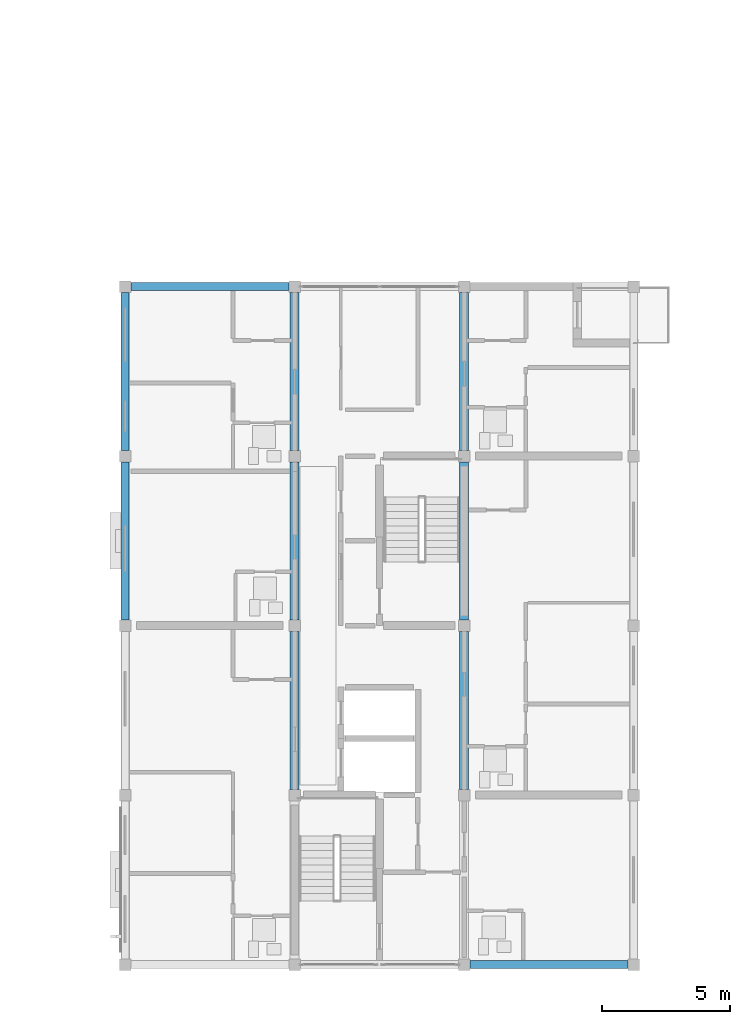
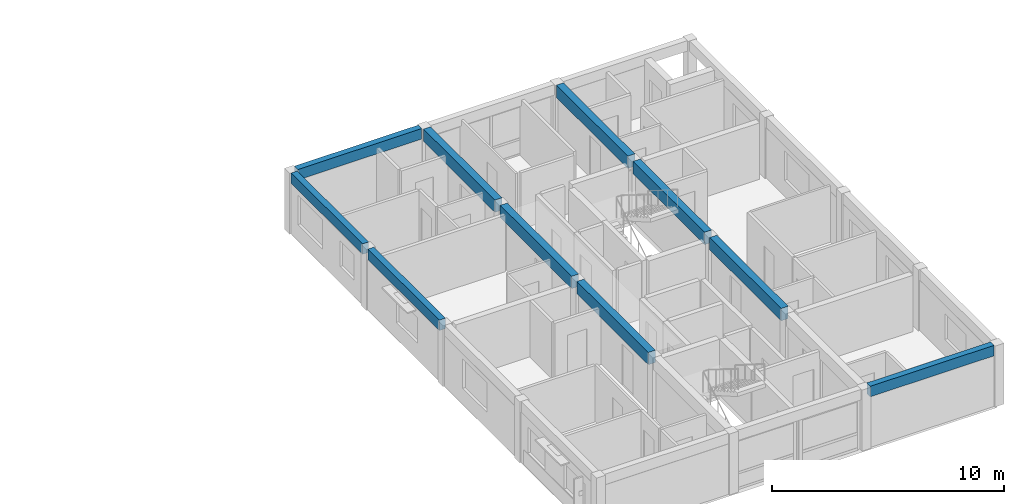
# One storey, part 13 of 53: 10 beams.
"""IFC4 building model written with IfcOpenShell, lengths in metres."""

import ifcopenshell
import ifcopenshell.guid

model = None  # the IFC model being written
_history = None  # IfcOwnerHistory: only IFC2X3 demands one
_inside = {}  # id of a spatial element -> (the spatial element, [elements in it])
_under = {}  # id of a project, library or spatial element -> (it, [spatial elements below it])
_declared = {}  # id of a project -> (the project, [libraries it declares])
_typed = {}  # id of a type object -> (the type object, [elements of that type])
_made_of = {}  # id of a material, layer set ... -> (it, [elements and type objects made of it])


def new_model(schema):
    """Start an empty IFC model of exactly this schema.

    Asked for "IFC4X3", IfcOpenShell would pick the latest addendum, in which some entities
    have other attributes; the version numbers below select the first issue.
    IFC2X3 requires an IfcOwnerHistory on every rooted entity: one is made here for all.
    """
    global model, _history
    if schema == "IFC4X3":
        model = ifcopenshell.file(schema_version=(4, 3, 0, 0))
    else:
        model = ifcopenshell.file(schema=schema)
    _inside.clear()
    _under.clear()
    _declared.clear()
    _typed.clear()
    _made_of.clear()
    _history = None
    if model.schema == "IFC2X3":
        org = make("IfcOrganization", Name="unknown")
        user = make(
            "IfcPersonAndOrganization",
            ThePerson=make("IfcPerson", FamilyName="unknown"),
            TheOrganization=org,
        )
        app = make(
            "IfcApplication",
            ApplicationDeveloper=org,
            Version="unknown",
            ApplicationFullName="unknown",
            ApplicationIdentifier="unknown",
        )
        _history = make(
            "IfcOwnerHistory",
            OwningUser=user,
            OwningApplication=app,
            ChangeAction="ADDED",
            CreationDate=0,
        )
    return model


def make(cls, **values):
    """One entity of the class cls with the attributes given. An attribute that is None is left unset."""
    return model.create_entity(
        cls, **{name: value for name, value in values.items() if value is not None}
    )


def rooted(cls, **values):
    """An entity with a GlobalId (a new one), such as an element, a storey or a relation."""
    return make(cls, GlobalId=ifcopenshell.guid.new(), OwnerHistory=_history, **values)


def si_unit(unit_type, name, prefix=None):
    """IfcSIUnit, for example si_unit("LENGTHUNIT", "METRE", prefix="MILLI")."""
    return make("IfcSIUnit", UnitType=unit_type, Prefix=prefix, Name=name)


def assignment(units):
    """IfcUnitAssignment: the units of a project."""
    return None if units is None else make("IfcUnitAssignment", Units=units)


def point(xyz):
    """IfcCartesianPoint."""
    return None if xyz is None else make("IfcCartesianPoint", Coordinates=xyz)


def direction(xyz):
    """IfcDirection."""
    return None if xyz is None else make("IfcDirection", DirectionRatios=xyz)


def frame(location, z_axis=None, x_axis=None):
    """IfcAxis2Placement3D, a coordinate frame: its origin and axes. An axis left out is left unset."""
    return make(
        "IfcAxis2Placement3D",
        Location=point(location),
        Axis=direction(z_axis),
        RefDirection=direction(x_axis),
    )


def frame_2d(location, x_axis=None):
    """IfcAxis2Placement2D, a coordinate frame in the plane: its origin and x axis."""
    return make(
        "IfcAxis2Placement2D", Location=point(location), RefDirection=direction(x_axis)
    )


def origin():
    """The frame at (0, 0, 0) with its axes left unset."""
    return frame((0.0, 0.0, 0.0))


def origin_2d():
    """The frame at (0, 0) in the plane with its x axis left unset."""
    return frame_2d((0.0, 0.0))


def place(relative_to, where):
    """IfcLocalPlacement: puts the frame where relative to a parent placement (None: the world)."""
    return make(
        "IfcLocalPlacement", PlacementRelTo=relative_to, RelativePlacement=where
    )


def context(
    kind, dimensions, precision=None, world=None, true_north=None, identifier=None
):
    """IfcGeometricRepresentationContext, for example the 3D "Model" context."""
    return make(
        "IfcGeometricRepresentationContext",
        ContextIdentifier=identifier,
        ContextType=kind,
        CoordinateSpaceDimension=dimensions,
        Precision=precision,
        WorldCoordinateSystem=world,
        TrueNorth=true_north,
    )


def subcontext(parent, identifier, kind, view, scale=None):
    """IfcGeometricRepresentationSubContext, for example "Body" below "Model"."""
    return make(
        "IfcGeometricRepresentationSubContext",
        ContextIdentifier=identifier,
        ContextType=kind,
        ParentContext=parent,
        TargetScale=scale,
        TargetView=view,
    )


def project(units=None, contexts=None):
    """IfcProject with its units and contexts."""
    return rooted(
        "IfcProject",
        Name="project",
        RepresentationContexts=contexts,
        UnitsInContext=assignment(units),
    )


def spatial(cls, under=None, at=None, **own):
    """A site, building, storey or space (cls), placed at a placement, below another one or the project."""
    s = rooted(cls, ObjectPlacement=at, **own)
    if under is not None:
        _under.setdefault(under.id(), (under, []))[1].append(s)
    return s


def profile(cls, at=None, kind="AREA", **sizes):
    """A parametric profile (cls). Its sizes go by their IFC names, for example OverallWidth=200.0."""
    return make(cls, ProfileType=kind, Position=at, **sizes)


def rectangle(**sizes):
    """IfcRectangleProfileDef."""
    return profile("IfcRectangleProfileDef", **sizes)


def extrude(swept, where, along, depth):
    """IfcExtrudedAreaSolid: the profile swept, set in the frame where, extruded along a direction by depth."""
    return make(
        "IfcExtrudedAreaSolid",
        SweptArea=swept,
        Position=where,
        ExtrudedDirection=direction(along),
        Depth=depth,
    )


def shape(context_of_items, identifier, shape_type, items):
    """IfcShapeRepresentation: the items that make up one representation, for example the "Body"."""
    return make(
        "IfcShapeRepresentation",
        ContextOfItems=context_of_items,
        RepresentationIdentifier=identifier,
        RepresentationType=shape_type,
        Items=items,
    )


def material(Name=None, Category=None):
    """IfcMaterial."""
    return make("IfcMaterial", Name=Name, Category=Category)


def material_profile(
    of_material, cross_section, Name=None, Category=None, Priority=None
):
    """IfcMaterialProfile: a cross section and its material."""
    return make(
        "IfcMaterialProfile",
        Name=Name,
        Material=of_material,
        Profile=cross_section,
        Priority=Priority,
        Category=Category,
    )


def profile_set(profiles, Name=None, composite=None):
    """IfcMaterialProfileSet."""
    return make(
        "IfcMaterialProfileSet",
        Name=Name,
        MaterialProfiles=profiles,
        CompositeProfile=composite,
    )


def made_of(thing, what):
    """Note that an element or type object is made of a material, layer set ...; save() writes the relation."""
    if what is not None:
        _made_of.setdefault(what.id(), (what, []))[1].append(thing)
    return thing


def type_object(cls, material=None, **own):
    """A type object (cls), such as IfcWallType, which elements share."""
    return made_of(rooted(cls, **own), material)


def element(
    cls,
    number,
    at=None,
    inside=None,
    cuts=None,
    type_object=None,
    material=None,
    context=None,
    identifier="Body",
    shape_type=None,
    held_by="IfcProductDefinitionShape",
    body=None,
    shapes=None,
    **own,
):
    """One element of the class cls, such as IfcWall. Its Tag is "e" and its number.

    at: its placement. inside: the storey or other place that contains it. cuts: it is an
    opening in that element (IfcRelVoidsElement). A single representation is given by context,
    identifier, shape_type and body (its items); several are given by shapes. held_by: the class
    of the entity that holds the representations. save() writes the other relations.
    """
    e = rooted(cls, Tag="e%d" % number, ObjectPlacement=at, **own)
    if body is not None:
        shapes = [shape(context, identifier, shape_type, body)]
    if shapes is not None:
        e.Representation = make(held_by, Representations=shapes)
    if inside is not None:
        _inside.setdefault(inside.id(), (inside, []))[1].append(e)
    if cuts is not None:
        rooted(
            "IfcRelVoidsElement", RelatingBuildingElement=cuts, RelatedOpeningElement=e
        )
    if type_object is not None:
        _typed.setdefault(type_object.id(), (type_object, []))[1].append(e)
    return made_of(e, material)


def aggregate(whole, parts):
    """IfcRelAggregates: a whole, such as a stair, and the parts it consists of."""
    return rooted("IfcRelAggregates", RelatingObject=whole, RelatedObjects=parts)


def save(model, path):
    """Write the relations noted so far, then the file.

    IfcRelAggregates (storeys below a building ...), IfcRelContainedInSpatialStructure (elements
    in a storey), IfcRelDefinesByType, IfcRelAssociatesMaterial and IfcRelDeclares: one each for
    every whole, place, type object, material and project.
    """
    for whole, parts in _under.values():
        aggregate(whole, parts)
    for where, things in _inside.values():
        rooted(
            "IfcRelContainedInSpatialStructure",
            RelatedElements=things,
            RelatingStructure=where,
        )
    for kind, things in _typed.values():
        rooted("IfcRelDefinesByType", RelatedObjects=things, RelatingType=kind)
    for what, things in _made_of.values():
        rooted("IfcRelAssociatesMaterial", RelatedObjects=things, RelatingMaterial=what)
    for by, libraries in _declared.values():
        rooted("IfcRelDeclares", RelatingContext=by, RelatedDefinitions=libraries)
    model.write(path)


model = new_model("IFC4")

# Units and contexts
model_context = context("Model", 3, precision=1e-05, world=origin(), true_north=direction((0.0, 1.0)))
body_context = subcontext(model_context, "Body", "Model", "MODEL_VIEW")
ifc_project = project(units=[si_unit("LENGTHUNIT", "METRE"), si_unit("AREAUNIT", "SQUARE_METRE"), si_unit("VOLUMEUNIT", "CUBIC_METRE"), si_unit("PLANEANGLEUNIT", "RADIAN"), si_unit("MASSUNIT", "GRAM", prefix="KILO")], contexts=[model_context])

# Site, building, storey
site_placement = place(None, origin())
site = spatial("IfcSite", under=ifc_project, at=site_placement, CompositionType="ELEMENT")
building_placement = place(site_placement, origin())
building = spatial("IfcBuilding", under=site, at=building_placement, Name="Kernevlak Ridge Housing Community", CompositionType="ELEMENT")
storey_placement = place(building_placement, frame((0.0, 0.0, 18.0)))
storey = spatial("IfcBuildingStorey", under=building, at=storey_placement, Name="L05", CompositionType="ELEMENT", Elevation=18.0)

# Beams
ifc_material = material(Name="Concrete C35/45", Category="concrete")
ifc_material_profile_1 = material_profile(ifc_material, rectangle(XDim=0.35009765625, YDim=0.64990234375, at=origin_2d()), Name="RC 350x650")
ifc_profile_set_1 = profile_set([ifc_material_profile_1], Name="Concrete C35/45")
beam_type_1 = type_object("IfcBeamType", Name="B-02", PredefinedType="BEAM", material=ifc_profile_set_1)
beam_1_placement = place(storey_placement, frame((132.60009765625, 22.425048828125, 2.875), z_axis=(0.0, 1.0, 0.0), x_axis=(-1.0, 0.0, 0.0)))
element("IfcBeam", 1, at=beam_1_placement, inside=storey, type_object=beam_type_1, Name="Beam B-02 L05 1117", PredefinedType="BEAM", context=body_context, shape_type="SweptSolid", body=[
    extrude(rectangle(XDim=0.35009765625, YDim=0.64990234375, at=origin_2d()), origin(), (0.0, 0.0, 1.0), 6.14990234375),
])
beam_2_placement = place(storey_placement, frame((132.60009765625, 29.02490234375, 2.875), z_axis=(0.0, 1.0, 0.0), x_axis=(-1.0, 0.0, 0.0)))
element("IfcBeam", 2, at=beam_2_placement, inside=storey, type_object=beam_type_1, Name="Beam B-02 L05 1118", PredefinedType="BEAM", context=body_context, shape_type="SweptSolid", body=[
    extrude(rectangle(XDim=0.35009765625, YDim=0.64990234375, at=origin_2d()), origin(), (0.0, 0.0, 1.0), 6.150146484375),
])
for number, where, z_axis, x_axis, name in (
    (3, (132.60009765625, 35.625, 2.875), (0.0, 1.0, 0.0), (-1.0, 0.0, 0.0), "Beam B-02 L05 1119"),
    (4, (139.199951171875, 22.425048828125, 2.875), (0.0, 1.0, 0.0), (-1.0, 0.0, 0.0), "Beam B-02 L05 1121"),
):
    element("IfcBeam", number, at=place(storey_placement, frame(where, z_axis=z_axis, x_axis=x_axis)), inside=storey, type_object=beam_type_1, Name=name, PredefinedType="BEAM", context=body_context, shape_type="SweptSolid", body=[
        extrude(rectangle(XDim=0.35009765625, YDim=0.64990234375, at=origin_2d()), origin(), (0.0, 0.0, 1.0), 6.14990234375),
    ])
beam_3_placement = place(storey_placement, frame((139.199951171875, 29.02490234375, 2.875), z_axis=(0.0, 1.0, 0.0), x_axis=(-1.0, 0.0, 0.0)))
element("IfcBeam", 5, at=beam_3_placement, inside=storey, type_object=beam_type_1, Name="Beam B-02 L05 1122", PredefinedType="BEAM", context=body_context, shape_type="SweptSolid", body=[
    extrude(rectangle(XDim=0.35009765625, YDim=0.64990234375, at=origin_2d()), origin(), (0.0, 0.0, 1.0), 6.150146484375),
])
beam_4_placement = place(storey_placement, frame((139.199951171875, 35.625, 2.875), z_axis=(0.0, 1.0, 0.0), x_axis=(-1.0, 0.0, 0.0)))
element("IfcBeam", 6, at=beam_4_placement, inside=storey, type_object=beam_type_1, Name="Beam B-02 L05 1123", PredefinedType="BEAM", context=body_context, shape_type="SweptSolid", body=[
    extrude(rectangle(XDim=0.35009765625, YDim=0.64990234375, at=origin_2d()), origin(), (0.0, 0.0, 1.0), 6.14990234375),
])
ifc_material_profile_2 = material_profile(ifc_material, rectangle(XDim=0.300048828125, YDim=0.550048828125, at=origin_2d()), Name="RC 300x550")
ifc_profile_set_2 = profile_set([ifc_material_profile_2], Name="Concrete C35/45")
beam_type_2 = type_object("IfcBeamType", Name="SP-01", PredefinedType="SPANDREL", material=ifc_profile_set_2)
beam_5_placement = place(storey_placement, frame((126.0, 29.02490234375, 2.925048828125), z_axis=(0.0, 1.0, 0.0), x_axis=(-1.0, 0.0, 0.0)))
element("IfcBeam", 7, at=beam_5_placement, inside=storey, type_object=beam_type_2, Name="Beam SP-01 L05 1114", PredefinedType="SPANDREL", context=body_context, shape_type="SweptSolid", body=[
    extrude(rectangle(XDim=0.300048828125, YDim=0.550048828125, at=origin_2d()), origin(), (0.0, 0.0, 1.0), 6.150146484375),
])
for number, where, z_axis, x_axis, name in (
    (8, (126.0, 35.625, 2.925048828125), (0.0, 1.0, 0.0), (-1.0, 0.0, 0.0), "Beam SP-01 L05 1115"),
    (9, (139.425048828125, 15.60009765625, 2.925048828125), (1.0, 0.0, 0.0), (0.0, 1.0, 0.0), "Beam SP-01 L05 1130"),
    (10, (126.22509765625, 42.0, 2.925048828125), (1.0, 0.0, 0.0), (0.0, 1.0, 0.0), "Beam SP-01 L05 1131"),
):
    element("IfcBeam", number, at=place(storey_placement, frame(where, z_axis=z_axis, x_axis=x_axis)), inside=storey, type_object=beam_type_2, Name=name, PredefinedType="SPANDREL", context=body_context, shape_type="SweptSolid", body=[
        extrude(rectangle(XDim=0.300048828125, YDim=0.550048828125, at=origin_2d()), origin(), (0.0, 0.0, 1.0), 6.14990234375),
    ])

save(model, "model.ifc")
